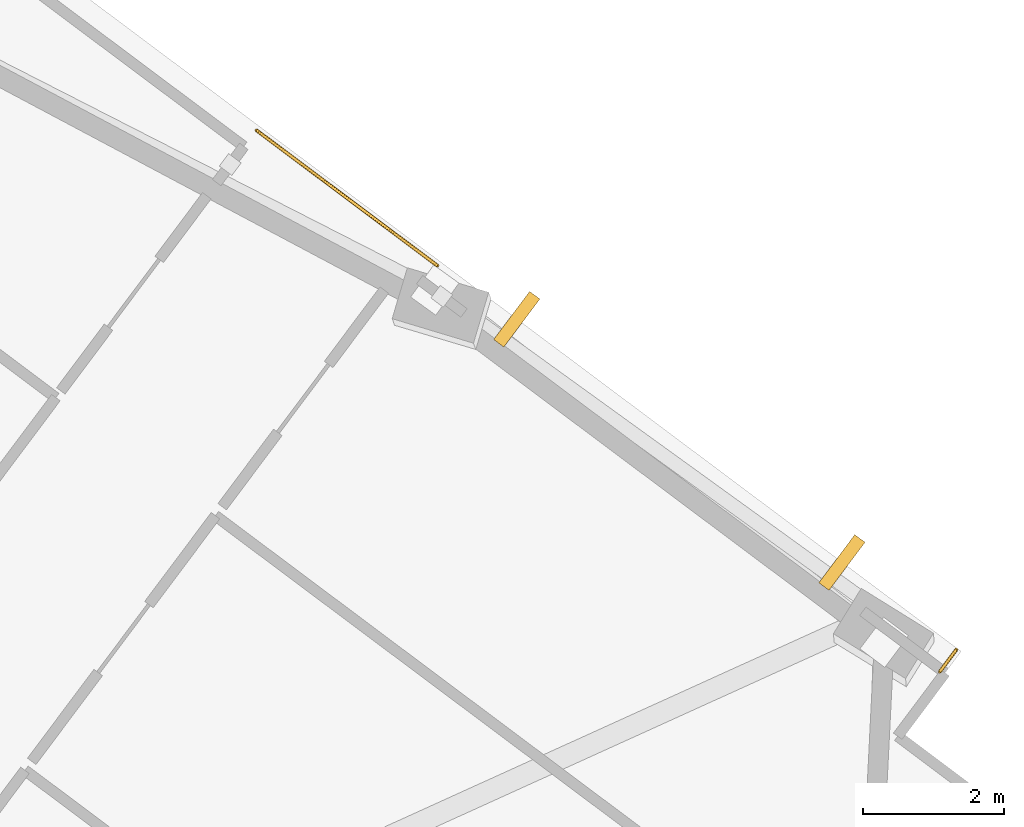
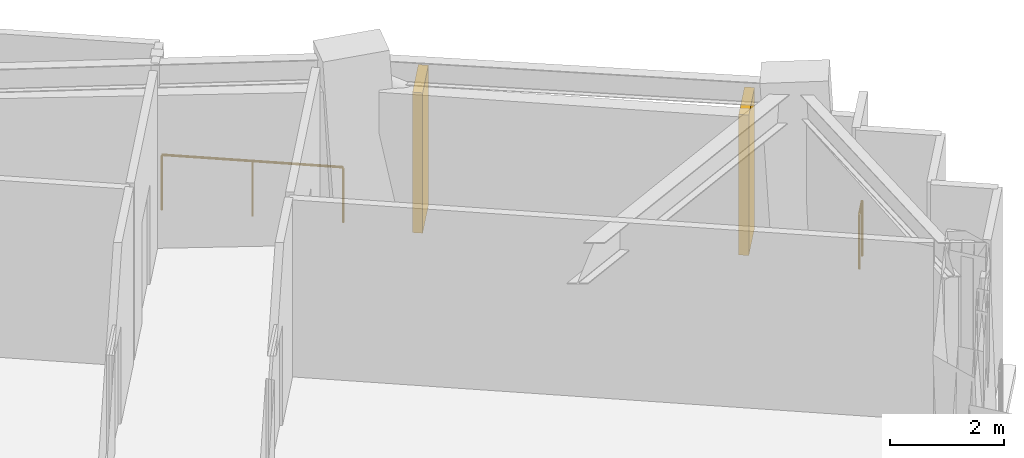
# One storey, part 12 of 12: 2 railings, 2 shading devices.
"""IFC4 building model written with IfcOpenShell, lengths in metres."""

from ifc_helpers import new_model, si_unit, direction, frame, origin, origin_2d, place, context, subcontext, project, spatial, rectangle, circle, extrude, material, layer, layer_set, type_object, element, save


model = new_model("IFC4")

# Units and contexts
model_context = context("Model", 3, precision=1e-05, world=origin(), true_north=direction((0.0, 1.0)))
body_context = subcontext(model_context, "Body", "Model", "MODEL_VIEW")
ifc_project = project(units=[si_unit("LENGTHUNIT", "METRE"), si_unit("AREAUNIT", "SQUARE_METRE"), si_unit("VOLUMEUNIT", "CUBIC_METRE"), si_unit("PLANEANGLEUNIT", "RADIAN"), si_unit("MASSUNIT", "GRAM", prefix="KILO")], contexts=[model_context])

# Site, building, storey
site_placement = place(None, origin())
site = spatial("IfcSite", under=ifc_project, at=site_placement, CompositionType="ELEMENT")
building_placement = place(site_placement, origin())
building = spatial("IfcBuilding", under=site, at=building_placement, Name="Gaonmaruhae Medical Tower", CompositionType="ELEMENT")
storey_placement = place(building_placement, frame((0.0, 0.0, 251.199951171875)))
storey = spatial("IfcBuildingStorey", under=building, at=storey_placement, Name="L60", CompositionType="ELEMENT", Elevation=251.199951171875)

# Railings
ifc_material_1 = material(Name="Stainless steel 316L and laminated safety glass", Category="steel")
ifc_layer = layer(ifc_material_1, 0.080078125)
ifc_layer_set = layer_set([ifc_layer], Name="Stainless steel 316L and laminated safety glass")
railing_type = type_object("IfcRailingType", Name="GD-120 Outdoor Terrace Safety Glass & Steel Balustrade", PredefinedType="BALUSTRADE", material=ifc_layer_set)
railing_1_placement = place(storey_placement, frame((49.78564453125, 34.084716796875, 0.0)))
element("IfcRailing", 1, at=railing_1_placement, inside=storey, type_object=railing_type, Name="L60 Perimeter Slab Edge Safety Balustrade 04", PredefinedType="BALUSTRADE", context=body_context, shape_type="SweptSolid", body=[
    extrude(circle(Radius=0.02392578125, at=origin_2d()), frame((0.0, 0.0, 1.17578125), z_axis=(0.800723666809, -0.599033896713, 0.0), x_axis=(0.599033896713, 0.800723666809, 0.0)), (0.0, 0.0, 1.0), 3.195556640625),
    extrude(circle(Radius=0.02099609375, at=origin_2d()), origin(), (0.0, 0.0, 1.0), 1.15185546875),
    extrude(circle(Radius=0.02099609375, at=origin_2d()), frame((1.279296875, -0.95703125, 0.0)), (0.0, 0.0, 1.0), 1.15185546875),
    extrude(circle(Radius=0.02099609375, at=origin_2d()), frame((2.558837890625, -1.914306640625, 0.0)), (0.0, 0.0, 1.0), 1.15185546875),
])
railing_2_placement = place(storey_placement, frame((59.689697265625, 26.73779296875, 0.0)))
element("IfcRailing", 2, at=railing_2_placement, inside=storey, type_object=railing_type, Name="L60 Perimeter Slab Edge Safety Balustrade 05", PredefinedType="BALUSTRADE", context=body_context, shape_type="SweptSolid", body=[
    extrude(circle(Radius=0.02392578125, at=origin_2d()), frame((0.0, 0.0, 1.17578125), z_axis=(-0.599006366452, -0.80074426189, 0.0), x_axis=(0.80074426189, -0.599006366452, 0.0)), (0.0, 0.0, 1.0), 0.393310546875),
    extrude(circle(Radius=0.02099609375, at=origin_2d()), origin(), (0.0, 0.0, 1.0), 1.15185546875),
    extrude(circle(Radius=0.02099609375, at=origin_2d()), frame((-0.235595703125, -0.31494140625, 0.0)), (0.0, 0.0, 1.0), 1.15185546875),
])

# Shading devices
ifc_material_2 = material(Name="Pigmented coral precast concrete C45/55", Category="concrete")
shading_device_type = type_object("IfcShadingDeviceType", Name="SD-FIN1 Tower Vertical Coral Precast Shading Fin", PredefinedType="USERDEFINED", material=ifc_material_2)
for number, where, z_axis, x_axis, name in (
    (3, (53.467529296875, 31.4111328125, 0.132568359375), (0.0, 0.0, 1.0), (0.800731370949, -0.599023598516, 0.0), "L60 Vertical Coral Precast Shading Fin E01"),
    (4, (58.06884765625, 27.968994140625, 0.132568359375), (0.0, 0.0, 1.0), (0.800731370949, -0.599023598516, 0.0), "L60 Vertical Coral Precast Shading Fin E01B"),
):
    element("IfcShadingDevice", number, at=place(storey_placement, frame(where, z_axis=z_axis, x_axis=x_axis)), inside=storey, type_object=shading_device_type, Name=name, ObjectType="FIN", PredefinedType="USERDEFINED", context=body_context, shape_type="SweptSolid", body=[
        extrude(rectangle(XDim=0.179931640625, YDim=0.85009765625, at=origin_2d()), origin(), (0.0, 0.0, 1.0), 3.0),
    ])

save(model, "model.ifc")
